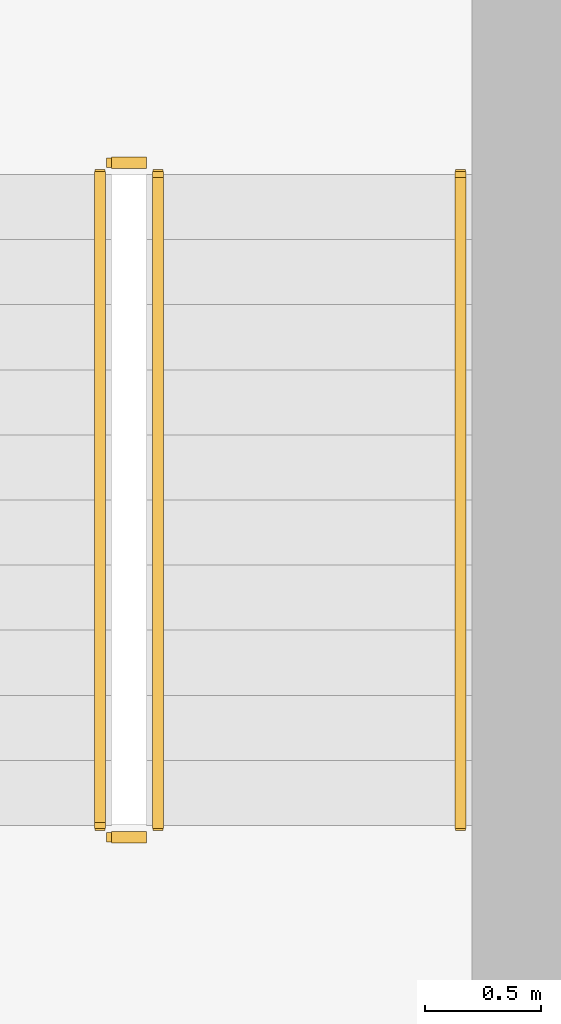
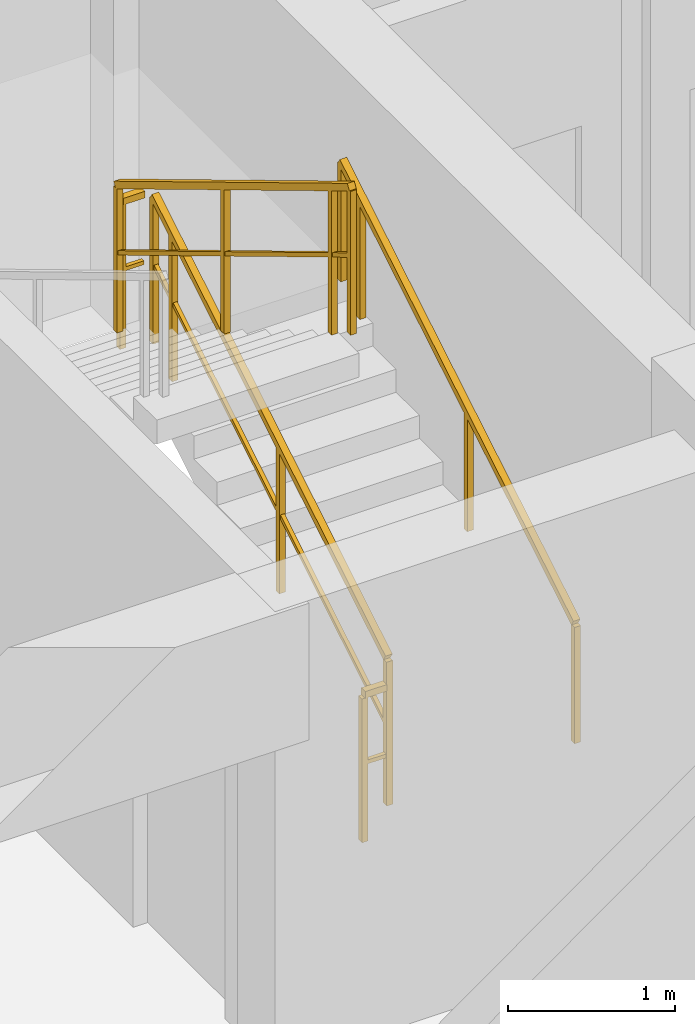
# One storey, part 12 of 13: 5 railings.
"""IFC4 building model written with IfcOpenShell, lengths in metres."""

from ifc_helpers import new_model, si_unit, direction, frame, origin, origin_2d, place, context, subcontext, project, spatial, rectangle, extrude, material, type_object, element, save


model = new_model("IFC4")

# Units and contexts
model_context = context("Model", 3, precision=1e-05, world=origin(), true_north=direction((0.0, 1.0)))
body_context = subcontext(model_context, "Body", "Model", "MODEL_VIEW")
ifc_project = project(units=[si_unit("LENGTHUNIT", "METRE"), si_unit("AREAUNIT", "SQUARE_METRE"), si_unit("VOLUMEUNIT", "CUBIC_METRE"), si_unit("PLANEANGLEUNIT", "RADIAN"), si_unit("MASSUNIT", "GRAM", prefix="KILO")], contexts=[model_context])

# Site, building, storey
site_placement = place(None, origin())
site = spatial("IfcSite", under=ifc_project, at=site_placement, CompositionType="ELEMENT")
building_placement = place(site_placement, origin())
building = spatial("IfcBuilding", under=site, at=building_placement, Name="Kaliganga Portal Commons", CompositionType="ELEMENT")
storey_placement = place(building_placement, frame((0.0, 0.0, 188.300048828125)))
storey = spatial("IfcBuildingStorey", under=building, at=storey_placement, Name="L48", CompositionType="ELEMENT", Elevation=188.300048828125)

# Railings
ifc_material_1 = material(Name="Galvanized Painted Steel Balustrade", Category="steel")
railing_type_1 = type_object("IfcRailingType", Name="RLG-STAIR-GRD", PredefinedType="GUARDRAIL", material=ifc_material_1)
railing_1_placement = place(storey_placement, frame((48.699951171875, 8.699951171875, 0.168212890625)))
element("IfcRailing", 1, at=railing_1_placement, inside=storey, type_object=railing_type_1, Name="L48 ST-B2 stair guard 1", PredefinedType="GUARDRAIL", context=body_context, shape_type="SweptSolid", body=[
    extrude(rectangle(XDim=0.048095703125, YDim=0.048095703125, at=origin_2d()), frame((0.0, 0.0, 1.072021484375), z_axis=(0.0, 0.857275202839, 0.514858452973), x_axis=(-1.0, 0.0, 0.0)), (0.0, 0.0, 1.0), 3.26611328125),
    extrude(rectangle(XDim=0.028076171875, YDim=0.028076171875, at=origin_2d()), frame((0.0, 0.0, 0.572021484375), z_axis=(0.0, 0.857275202839, 0.514858452973), x_axis=(-1.0, 0.0, 0.0)), (0.0, 0.0, 1.0), 3.26611328125),
    extrude(rectangle(XDim=0.0419921875, YDim=0.0419921875, at=origin_2d()), origin(), (0.0, 0.0, 1.0), 1.052001953125),
    extrude(rectangle(XDim=0.0419921875, YDim=0.0419921875, at=origin_2d()), frame((0.0, 1.285888671875, 0.772216796875)), (0.0, 0.0, 1.0), 1.052001953125),
    extrude(rectangle(XDim=0.0419921875, YDim=0.0419921875, at=origin_2d()), frame((0.0, 2.57177734375, 1.544677734375)), (0.0, 0.0, 1.0), 1.052001953125),
    extrude(rectangle(XDim=0.0419921875, YDim=0.0419921875, at=origin_2d()), frame((0.0, 2.800048828125, 1.681640625)), (0.0, 0.0, 1.0), 1.052001953125),
])
railing_2_placement = place(storey_placement, frame((48.64990234375, 11.550048828125, 1.849853515625)))
element("IfcRailing", 2, at=railing_2_placement, inside=storey, type_object=railing_type_1, Name="L48 ST-B2 stair guard 2", PredefinedType="GUARDRAIL", context=body_context, shape_type="SweptSolid", body=[
    extrude(rectangle(XDim=0.048095703125, YDim=0.048095703125, at=origin_2d()), frame((0.0, 0.0, 1.076171875), z_axis=(-1.0, 0.0, 0.0), x_axis=(0.0, -1.0, 0.0)), (0.0, 0.0, 1.0), 0.14990234375),
    extrude(rectangle(XDim=0.028076171875, YDim=0.028076171875, at=origin_2d()), frame((0.0, 0.0, 0.572021484375), z_axis=(-1.0, 0.0, 0.0), x_axis=(0.0, -1.0, 0.0)), (0.0, 0.0, 1.0), 0.14990234375),
    extrude(rectangle(XDim=0.0419921875, YDim=0.0419921875, at=origin_2d()), frame((-0.14990234375, 0.0, 0.0)), (0.0, 0.0, 1.0), 1.052001953125),
])
railing_3_placement = place(storey_placement, frame((48.449951171875, 11.5, 2.01806640625)))
element("IfcRailing", 3, at=railing_3_placement, inside=storey, type_object=railing_type_1, Name="L48 ST-B2 stair guard 3", PredefinedType="GUARDRAIL", context=body_context, shape_type="SweptSolid", body=[
    extrude(rectangle(XDim=0.048095703125, YDim=0.048095703125, at=origin_2d()), frame((0.0, 0.0, 1.072021484375), z_axis=(0.0, -0.857242210791, 0.514913383045), x_axis=(1.0, 0.0, 0.0)), (0.0, 0.0, 1.0), 3.266357421875),
    extrude(rectangle(XDim=0.028076171875, YDim=0.028076171875, at=origin_2d()), frame((0.0, 0.0, 0.572021484375), z_axis=(0.0, -0.857242210791, 0.514913383045), x_axis=(1.0, 0.0, 0.0)), (0.0, 0.0, 1.0), 3.266357421875),
    extrude(rectangle(XDim=0.0419921875, YDim=0.0419921875, at=origin_2d()), origin(), (0.0, 0.0, 1.0), 1.052001953125),
    extrude(rectangle(XDim=0.0419921875, YDim=0.0419921875, at=origin_2d()), frame((0.0, -1.285888671875, 0.7724609375)), (0.0, 0.0, 1.0), 1.052001953125),
    extrude(rectangle(XDim=0.0419921875, YDim=0.0419921875, at=origin_2d()), frame((0.0, -2.57177734375, 1.544677734375)), (0.0, 0.0, 1.0), 1.052001953125),
    extrude(rectangle(XDim=0.0419921875, YDim=0.0419921875, at=origin_2d()), frame((0.0, -2.800048828125, 1.681884765625)), (0.0, 0.0, 1.0), 1.052001953125),
])
railing_4_placement = place(storey_placement, frame((48.64990234375, 8.64990234375, 0.0)))
element("IfcRailing", 4, at=railing_4_placement, inside=storey, type_object=railing_type_1, Name="L48 ST-B2 stair guard 4", PredefinedType="GUARDRAIL", context=body_context, shape_type="SweptSolid", body=[
    extrude(rectangle(XDim=0.048095703125, YDim=0.048095703125, at=origin_2d()), frame((0.0, 0.0, 1.076171875), z_axis=(-1.0, 0.0, 0.0), x_axis=(0.0, -1.0, 0.0)), (0.0, 0.0, 1.0), 0.14990234375),
    extrude(rectangle(XDim=0.028076171875, YDim=0.028076171875, at=origin_2d()), frame((0.0, 0.0, 0.572021484375), z_axis=(-1.0, 0.0, 0.0), x_axis=(0.0, -1.0, 0.0)), (0.0, 0.0, 1.0), 0.14990234375),
    extrude(rectangle(XDim=0.0419921875, YDim=0.0419921875, at=origin_2d()), frame((-0.14990234375, 0.0, 0.0)), (0.0, 0.0, 1.0), 1.052001953125),
])
ifc_material_2 = material(Name="Brushed Stainless Steel 316", Category="steel")
railing_type_2 = type_object("IfcRailingType", Name="RLG-STAIR-HR", PredefinedType="HANDRAIL", material=ifc_material_2)
railing_5_placement = place(storey_placement, frame((50.0, 8.699951171875, 0.168212890625)))
element("IfcRailing", 5, at=railing_5_placement, inside=storey, type_object=railing_type_2, Name="L48 ST-B2 stair handrail 1", PredefinedType="HANDRAIL", context=body_context, shape_type="SweptSolid", body=[
    extrude(rectangle(XDim=0.048095703125, YDim=0.048095703125, at=origin_2d()), frame((0.0, 0.0, 0.871826171875), z_axis=(0.0, 0.857275202839, 0.514858452973), x_axis=(-1.0, 0.0, 0.0)), (0.0, 0.0, 1.0), 3.26611328125),
    extrude(rectangle(XDim=0.0419921875, YDim=0.0419921875, at=origin_2d()), origin(), (0.0, 0.0, 1.0), 0.851806640625),
    extrude(rectangle(XDim=0.0419921875, YDim=0.0419921875, at=origin_2d()), frame((0.0, 1.285888671875, 0.772216796875)), (0.0, 0.0, 1.0), 0.851806640625),
    extrude(rectangle(XDim=0.0419921875, YDim=0.0419921875, at=origin_2d()), frame((0.0, 2.57177734375, 1.544677734375)), (0.0, 0.0, 1.0), 0.851806640625),
    extrude(rectangle(XDim=0.0419921875, YDim=0.0419921875, at=origin_2d()), frame((0.0, 2.800048828125, 1.681640625)), (0.0, 0.0, 1.0), 0.851806640625),
])

save(model, "model.ifc")
